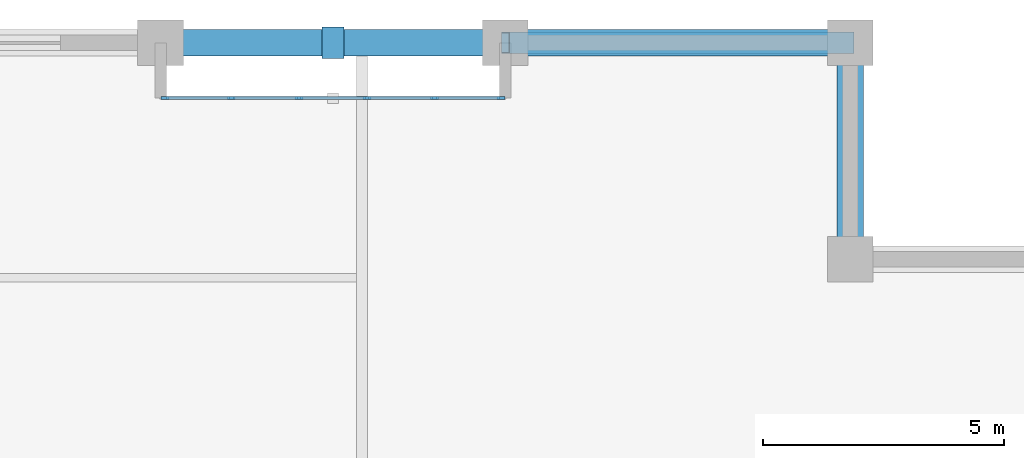
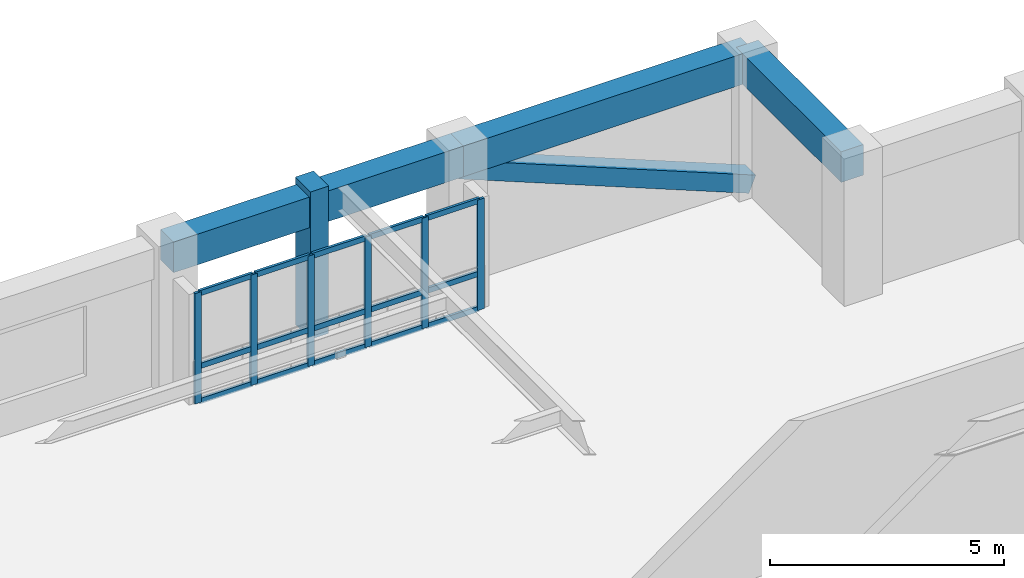
# One storey, part 2 of 8: 23 members, 3 beams, 1 element without a shape of its own.
"""IFC4 building model written with IfcOpenShell, lengths in metres."""

from ifc_helpers import new_model, si_unit, direction, frame, origin, origin_2d, place, context, subcontext, project, spatial, rectangle, hollow_rectangle, extrude, material, layer, layer_set, material_profile, profile_set, type_object, element, aggregate, save


model = new_model("IFC4")

# Units and contexts
model_context = context("Model", 3, precision=1e-05, world=origin(), true_north=direction((0.0, 1.0)))
body_context = subcontext(model_context, "Body", "Model", "MODEL_VIEW")
ifc_project = project(units=[si_unit("LENGTHUNIT", "METRE"), si_unit("AREAUNIT", "SQUARE_METRE"), si_unit("VOLUMEUNIT", "CUBIC_METRE"), si_unit("PLANEANGLEUNIT", "RADIAN"), si_unit("MASSUNIT", "GRAM", prefix="KILO")], contexts=[model_context])

# Site, building, storey
site_placement = place(None, origin())
site = spatial("IfcSite", under=ifc_project, at=site_placement, CompositionType="ELEMENT")
building_placement = place(site_placement, origin())
building = spatial("IfcBuilding", under=site, at=building_placement, Name="Nhamokura Convention Tower", CompositionType="ELEMENT")
storey_placement = place(building_placement, frame((0.0, 0.0, 137.550048828125)))
storey = spatial("IfcBuildingStorey", under=building, at=storey_placement, Name="L33", CompositionType="ELEMENT", Elevation=137.550048828125)

# Member
ifc_material_1 = material(Name="Bronze-pigmented precast concrete C45/55", Category="concrete")
ifc_material_profile_1 = material_profile(ifc_material_1, rectangle(XDim=0.449951171875, YDim=0.64990234375, at=origin_2d()))
ifc_profile_set_1 = profile_set([ifc_material_profile_1], Name="Bronze-pigmented precast concrete C45/55")
member_type_1 = type_object("IfcMemberType", Name="BronzePilaster_650", PredefinedType="USERDEFINED", material=ifc_profile_set_1)
member_1_placement = place(storey_placement, frame((42.75, 58.0, 0.0), z_axis=(0.0, 0.0, 1.0), x_axis=(1.0, 0.0, 0.0)))
element("IfcMember", 1, at=member_1_placement, inside=storey, type_object=member_type_1, Name="L33 Engaged Frame Pilaster NORTH 4", ObjectType="PILASTER_TRIM", PredefinedType="USERDEFINED", context=body_context, shape_type="SweptSolid", body=[
    extrude(rectangle(XDim=0.449951171875, YDim=0.64990234375, at=origin_2d()), origin(), (0.0, 0.0, 1.0), 3.849853515625),
])

# Curtain wall, members
ifc_material_2 = material(Name="Anodised bronze aluminium AA6063-T6", Category="aluminium")
ifc_layer = layer(ifc_material_2, 0.159912109375)
ifc_layer_set = layer_set([ifc_layer], Name="CWSystem_ScaleSlot_Zone2")
curtain_wall_type = type_object("IfcCurtainWallType", Name="CWSystem_ScaleSlot_Zone2", PredefinedType="NOTDEFINED", material=ifc_layer_set)
curtain_wall_placement = place(storey_placement, origin())
curtain_wall = element("IfcCurtainWall", 2, at=curtain_wall_placement, inside=storey, type_object=curtain_wall_type, Name="L33 Curtain Wall ENV-L33-SLOT-N4", PredefinedType="NOTDEFINED")
ifc_material_3 = material(Name="Anodised bronze aluminium AA6063-T6", Category="aluminium")
ifc_material_profile_2 = material_profile(ifc_material_3, rectangle(XDim=0.06494140625, YDim=0.1650390625, at=origin_2d()))
ifc_profile_set_2 = profile_set([ifc_material_profile_2], Name="Anodised bronze aluminium AA6063-T6")
member_type_2 = type_object("IfcMemberType", Name="CWMullion_3", PredefinedType="MULLION", material=ifc_profile_set_2)
member_2_placement = place(storey_placement, frame((39.25927734375, 56.85009765625, 0.0), z_axis=(0.0, 0.0, 1.0), x_axis=(0.0, 1.0, 0.0)))
member_2 = element("IfcMember", 3, at=member_2_placement, type_object=member_type_2, Name="CW-04 mullion 1", PredefinedType="MULLION", context=body_context, shape_type="SweptSolid", body=[
    extrude(rectangle(XDim=0.06494140625, YDim=0.1650390625, at=origin_2d()), origin(), (0.0, 0.0, 1.0), 2.885009765625),
])
member_3_placement = place(storey_placement, frame((40.635986328125, 56.85009765625, 0.0), z_axis=(0.0, 0.0, 1.0), x_axis=(0.0, 1.0, 0.0)))
member_3 = element("IfcMember", 4, at=member_3_placement, type_object=member_type_2, Name="CW-04 mullion 2", PredefinedType="MULLION", context=body_context, shape_type="SweptSolid", body=[
    extrude(rectangle(XDim=0.06494140625, YDim=0.1650390625, at=origin_2d()), origin(), (0.0, 0.0, 1.0), 2.885009765625),
])
member_4_placement = place(storey_placement, frame((42.04541015625, 56.85009765625, 0.0), z_axis=(0.0, 0.0, 1.0), x_axis=(0.0, 1.0, 0.0)))
member_4 = element("IfcMember", 5, at=member_4_placement, type_object=member_type_2, Name="CW-04 mullion 3", PredefinedType="MULLION", context=body_context, shape_type="SweptSolid", body=[
    extrude(rectangle(XDim=0.06494140625, YDim=0.1650390625, at=origin_2d()), origin(), (0.0, 0.0, 1.0), 2.885009765625),
])
member_5_placement = place(storey_placement, frame((43.45458984375, 56.85009765625, 0.0), z_axis=(0.0, 0.0, 1.0), x_axis=(0.0, 1.0, 0.0)))
member_5 = element("IfcMember", 6, at=member_5_placement, type_object=member_type_2, Name="CW-04 mullion 4", PredefinedType="MULLION", context=body_context, shape_type="SweptSolid", body=[
    extrude(rectangle(XDim=0.06494140625, YDim=0.1650390625, at=origin_2d()), origin(), (0.0, 0.0, 1.0), 2.885009765625),
])
member_6_placement = place(storey_placement, frame((44.864013671875, 56.85009765625, 0.0), z_axis=(0.0, 0.0, 1.0), x_axis=(0.0, 1.0, 0.0)))
member_6 = element("IfcMember", 7, at=member_6_placement, type_object=member_type_2, Name="CW-04 mullion 5", PredefinedType="MULLION", context=body_context, shape_type="SweptSolid", body=[
    extrude(rectangle(XDim=0.06494140625, YDim=0.1650390625, at=origin_2d()), origin(), (0.0, 0.0, 1.0), 2.885009765625),
])
member_7_placement = place(storey_placement, frame((46.24072265625, 56.85009765625, 0.0), z_axis=(0.0, 0.0, 1.0), x_axis=(0.0, 1.0, 0.0)))
member_7 = element("IfcMember", 8, at=member_7_placement, type_object=member_type_2, Name="CW-04 mullion 6", PredefinedType="MULLION", context=body_context, shape_type="SweptSolid", body=[
    extrude(rectangle(XDim=0.06494140625, YDim=0.1650390625, at=origin_2d()), origin(), (0.0, 0.0, 1.0), 2.885009765625),
])
ifc_material_4 = material(Name="Anodised bronze aluminium AA6063-T6", Category="aluminium")
ifc_material_profile_3 = material_profile(ifc_material_4, rectangle(XDim=0.06494140625, YDim=0.139892578125, at=origin_2d()))
ifc_profile_set_3 = profile_set([ifc_material_profile_3], Name="Anodised bronze aluminium AA6063-T6")
member_type_3 = type_object("IfcMemberType", Name="CWTransom_3", PredefinedType="USERDEFINED", material=ifc_profile_set_3)
member_8_placement = place(storey_placement, frame((39.291748046875, 56.85009765625, 0.032470703125), z_axis=(1.0, 0.0, 0.0), x_axis=(0.0, 1.0, 0.0)))
member_8 = element("IfcMember", 9, at=member_8_placement, type_object=member_type_3, Name="CW-04 transom 1.1", ObjectType="TRANSOM", PredefinedType="USERDEFINED", context=body_context, shape_type="SweptSolid", body=[
    extrude(rectangle(XDim=0.06494140625, YDim=0.139892578125, at=origin_2d()), origin(), (0.0, 0.0, 1.0), 1.311767578125),
])
member_9_placement = place(storey_placement, frame((39.291748046875, 56.85009765625, 0.949951171875), z_axis=(1.0, 0.0, 0.0), x_axis=(0.0, 1.0, 0.0)))
member_9 = element("IfcMember", 10, at=member_9_placement, type_object=member_type_3, Name="CW-04 transom 1.2", ObjectType="TRANSOM", PredefinedType="USERDEFINED", context=body_context, shape_type="SweptSolid", body=[
    extrude(rectangle(XDim=0.06494140625, YDim=0.139892578125, at=origin_2d()), origin(), (0.0, 0.0, 1.0), 1.311767578125),
])
member_10_placement = place(storey_placement, frame((39.291748046875, 56.85009765625, 2.8525390625), z_axis=(1.0, 0.0, 0.0), x_axis=(0.0, 1.0, 0.0)))
member_10 = element("IfcMember", 11, at=member_10_placement, type_object=member_type_3, Name="CW-04 transom 1.3", ObjectType="TRANSOM", PredefinedType="USERDEFINED", context=body_context, shape_type="SweptSolid", body=[
    extrude(rectangle(XDim=0.06494140625, YDim=0.139892578125, at=origin_2d()), origin(), (0.0, 0.0, 1.0), 1.311767578125),
])
member_11_placement = place(storey_placement, frame((40.66845703125, 56.85009765625, 0.032470703125), z_axis=(1.0, 0.0, 0.0), x_axis=(0.0, 1.0, 0.0)))
member_11 = element("IfcMember", 12, at=member_11_placement, type_object=member_type_3, Name="CW-04 transom 2.1", ObjectType="TRANSOM", PredefinedType="USERDEFINED", context=body_context, shape_type="SweptSolid", body=[
    extrude(rectangle(XDim=0.06494140625, YDim=0.139892578125, at=origin_2d()), origin(), (0.0, 0.0, 1.0), 1.344482421875),
])
member_12_placement = place(storey_placement, frame((40.66845703125, 56.85009765625, 0.949951171875), z_axis=(1.0, 0.0, 0.0), x_axis=(0.0, 1.0, 0.0)))
member_12 = element("IfcMember", 13, at=member_12_placement, type_object=member_type_3, Name="CW-04 transom 2.2", ObjectType="TRANSOM", PredefinedType="USERDEFINED", context=body_context, shape_type="SweptSolid", body=[
    extrude(rectangle(XDim=0.06494140625, YDim=0.139892578125, at=origin_2d()), origin(), (0.0, 0.0, 1.0), 1.344482421875),
])
member_13_placement = place(storey_placement, frame((40.66845703125, 56.85009765625, 2.8525390625), z_axis=(1.0, 0.0, 0.0), x_axis=(0.0, 1.0, 0.0)))
member_13 = element("IfcMember", 14, at=member_13_placement, type_object=member_type_3, Name="CW-04 transom 2.3", ObjectType="TRANSOM", PredefinedType="USERDEFINED", context=body_context, shape_type="SweptSolid", body=[
    extrude(rectangle(XDim=0.06494140625, YDim=0.139892578125, at=origin_2d()), origin(), (0.0, 0.0, 1.0), 1.344482421875),
])
member_14_placement = place(storey_placement, frame((42.077880859375, 56.85009765625, 0.032470703125), z_axis=(1.0, 0.0, 0.0), x_axis=(0.0, 1.0, 0.0)))
member_14 = element("IfcMember", 15, at=member_14_placement, type_object=member_type_3, Name="CW-04 transom 3.1", ObjectType="TRANSOM", PredefinedType="USERDEFINED", context=body_context, shape_type="SweptSolid", body=[
    extrude(rectangle(XDim=0.06494140625, YDim=0.139892578125, at=origin_2d()), origin(), (0.0, 0.0, 1.0), 1.34423828125),
])
member_15_placement = place(storey_placement, frame((42.077880859375, 56.85009765625, 0.949951171875), z_axis=(1.0, 0.0, 0.0), x_axis=(0.0, 1.0, 0.0)))
member_15 = element("IfcMember", 16, at=member_15_placement, type_object=member_type_3, Name="CW-04 transom 3.2", ObjectType="TRANSOM", PredefinedType="USERDEFINED", context=body_context, shape_type="SweptSolid", body=[
    extrude(rectangle(XDim=0.06494140625, YDim=0.139892578125, at=origin_2d()), origin(), (0.0, 0.0, 1.0), 1.34423828125),
])
member_16_placement = place(storey_placement, frame((42.077880859375, 56.85009765625, 2.8525390625), z_axis=(1.0, 0.0, 0.0), x_axis=(0.0, 1.0, 0.0)))
member_16 = element("IfcMember", 17, at=member_16_placement, type_object=member_type_3, Name="CW-04 transom 3.3", ObjectType="TRANSOM", PredefinedType="USERDEFINED", context=body_context, shape_type="SweptSolid", body=[
    extrude(rectangle(XDim=0.06494140625, YDim=0.139892578125, at=origin_2d()), origin(), (0.0, 0.0, 1.0), 1.34423828125),
])
member_17_placement = place(storey_placement, frame((43.487060546875, 56.85009765625, 0.032470703125), z_axis=(1.0, 0.0, 0.0), x_axis=(0.0, 1.0, 0.0)))
member_17 = element("IfcMember", 18, at=member_17_placement, type_object=member_type_3, Name="CW-04 transom 4.1", ObjectType="TRANSOM", PredefinedType="USERDEFINED", context=body_context, shape_type="SweptSolid", body=[
    extrude(rectangle(XDim=0.06494140625, YDim=0.139892578125, at=origin_2d()), origin(), (0.0, 0.0, 1.0), 1.344482421875),
])
member_18_placement = place(storey_placement, frame((43.487060546875, 56.85009765625, 0.949951171875), z_axis=(1.0, 0.0, 0.0), x_axis=(0.0, 1.0, 0.0)))
member_18 = element("IfcMember", 19, at=member_18_placement, type_object=member_type_3, Name="CW-04 transom 4.2", ObjectType="TRANSOM", PredefinedType="USERDEFINED", context=body_context, shape_type="SweptSolid", body=[
    extrude(rectangle(XDim=0.06494140625, YDim=0.139892578125, at=origin_2d()), origin(), (0.0, 0.0, 1.0), 1.344482421875),
])
member_19_placement = place(storey_placement, frame((43.487060546875, 56.85009765625, 2.8525390625), z_axis=(1.0, 0.0, 0.0), x_axis=(0.0, 1.0, 0.0)))
member_19 = element("IfcMember", 20, at=member_19_placement, type_object=member_type_3, Name="CW-04 transom 4.3", ObjectType="TRANSOM", PredefinedType="USERDEFINED", context=body_context, shape_type="SweptSolid", body=[
    extrude(rectangle(XDim=0.06494140625, YDim=0.139892578125, at=origin_2d()), origin(), (0.0, 0.0, 1.0), 1.344482421875),
])
member_20_placement = place(storey_placement, frame((44.896484375, 56.85009765625, 0.032470703125), z_axis=(1.0, 0.0, 0.0), x_axis=(0.0, 1.0, 0.0)))
member_20 = element("IfcMember", 21, at=member_20_placement, type_object=member_type_3, Name="CW-04 transom 5.1", ObjectType="TRANSOM", PredefinedType="USERDEFINED", context=body_context, shape_type="SweptSolid", body=[
    extrude(rectangle(XDim=0.06494140625, YDim=0.139892578125, at=origin_2d()), origin(), (0.0, 0.0, 1.0), 1.311767578125),
])
member_21_placement = place(storey_placement, frame((44.896484375, 56.85009765625, 0.949951171875), z_axis=(1.0, 0.0, 0.0), x_axis=(0.0, 1.0, 0.0)))
member_21 = element("IfcMember", 22, at=member_21_placement, type_object=member_type_3, Name="CW-04 transom 5.2", ObjectType="TRANSOM", PredefinedType="USERDEFINED", context=body_context, shape_type="SweptSolid", body=[
    extrude(rectangle(XDim=0.06494140625, YDim=0.139892578125, at=origin_2d()), origin(), (0.0, 0.0, 1.0), 1.311767578125),
])
member_22_placement = place(storey_placement, frame((44.896484375, 56.85009765625, 2.8525390625), z_axis=(1.0, 0.0, 0.0), x_axis=(0.0, 1.0, 0.0)))
member_22 = element("IfcMember", 23, at=member_22_placement, type_object=member_type_3, Name="CW-04 transom 5.3", ObjectType="TRANSOM", PredefinedType="USERDEFINED", context=body_context, shape_type="SweptSolid", body=[
    extrude(rectangle(XDim=0.06494140625, YDim=0.139892578125, at=origin_2d()), origin(), (0.0, 0.0, 1.0), 1.311767578125),
])
aggregate(curtain_wall, [member_2, member_3, member_4, member_5, member_6, member_7, member_8, member_9, member_10, member_11, member_12, member_13, member_14, member_15, member_16, member_17, member_18, member_19, member_20, member_21, member_22])

# Member
ifc_material_5 = material(Name="Steel ASTM A572 Gr 50", Category="steel")
ifc_material_profile_4 = material_profile(ifc_material_5, hollow_rectangle(XDim=0.449951171875, YDim=0.449951171875, WallThickness=0.02197265625, at=origin_2d()))
ifc_profile_set_4 = profile_set([ifc_material_profile_4], Name="Steel ASTM A572 Gr 50")
member_type_4 = type_object("IfcMemberType", Name="TubeBrace_HSS450", PredefinedType="BRACE", material=ifc_profile_set_4)
member_23_placement = place(storey_placement, frame((53.5, 58.0, 0.14990234375), z_axis=(-0.927657166893, 0.0, 0.373432966826), x_axis=(0.0, -1.0, 0.0)))
element("IfcMember", 24, at=member_23_placement, inside=storey, type_object=member_type_4, Name="L33 Perimeter Tube Brace NORTH Bay 5", PredefinedType="BRACE", context=body_context, shape_type="SweptSolid", body=[
    extrude(hollow_rectangle(XDim=0.449951171875, YDim=0.449951171875, WallThickness=0.02197265625, at=origin_2d()), origin(), (0.0, 0.0, 1.0), 7.7255859375),
])

# Beams
ifc_material_6 = material(Name="Concrete C50/60", Category="concrete")
ifc_material_profile_5 = material_profile(ifc_material_6, rectangle(XDim=0.550048828125, YDim=0.800048828125, at=origin_2d()))
ifc_profile_set_5 = profile_set([ifc_material_profile_5], Name="Concrete C50/60")
beam_type = type_object("IfcBeamType", Name="TubeSpandrel_800", PredefinedType="SPANDREL", material=ifc_profile_set_5)
beam_1_placement = place(storey_placement, frame((39.166748046875, 58.0, 3.284912109375), z_axis=(1.0, 0.0, 0.0), x_axis=(0.0, 1.0, 0.0)))
element("IfcBeam", 25, at=beam_1_placement, inside=storey, type_object=beam_type, Name="L33 Perimeter Spandrel NORTH 5", PredefinedType="SPANDREL", context=body_context, shape_type="SweptSolid", body=[
    extrude(rectangle(XDim=0.550048828125, YDim=0.800048828125, at=origin_2d()), origin(), (0.0, 0.0, 1.0), 7.16650390625),
])
beam_2_placement = place(storey_placement, frame((46.333251953125, 58.0, 3.284912109375), z_axis=(1.0, 0.0, 0.0), x_axis=(0.0, 1.0, 0.0)))
element("IfcBeam", 26, at=beam_2_placement, inside=storey, type_object=beam_type, Name="L33 Perimeter Spandrel NORTH 6", PredefinedType="SPANDREL", context=body_context, shape_type="SweptSolid", body=[
    extrude(rectangle(XDim=0.550048828125, YDim=0.800048828125, at=origin_2d()), origin(), (0.0, 0.0, 1.0), 7.166748046875),
])
beam_3_placement = place(storey_placement, frame((53.5, 53.5, 3.284912109375), z_axis=(0.0, 1.0, 0.0), x_axis=(-1.0, 0.0, 0.0)))
element("IfcBeam", 27, at=beam_3_placement, inside=storey, type_object=beam_type, Name="L33 Notch Spandrel NE2", PredefinedType="SPANDREL", context=body_context, shape_type="SweptSolid", body=[
    extrude(rectangle(XDim=0.550048828125, YDim=0.800048828125, at=origin_2d()), origin(), (0.0, 0.0, 1.0), 4.5),
])

save(model, "model.ifc")
